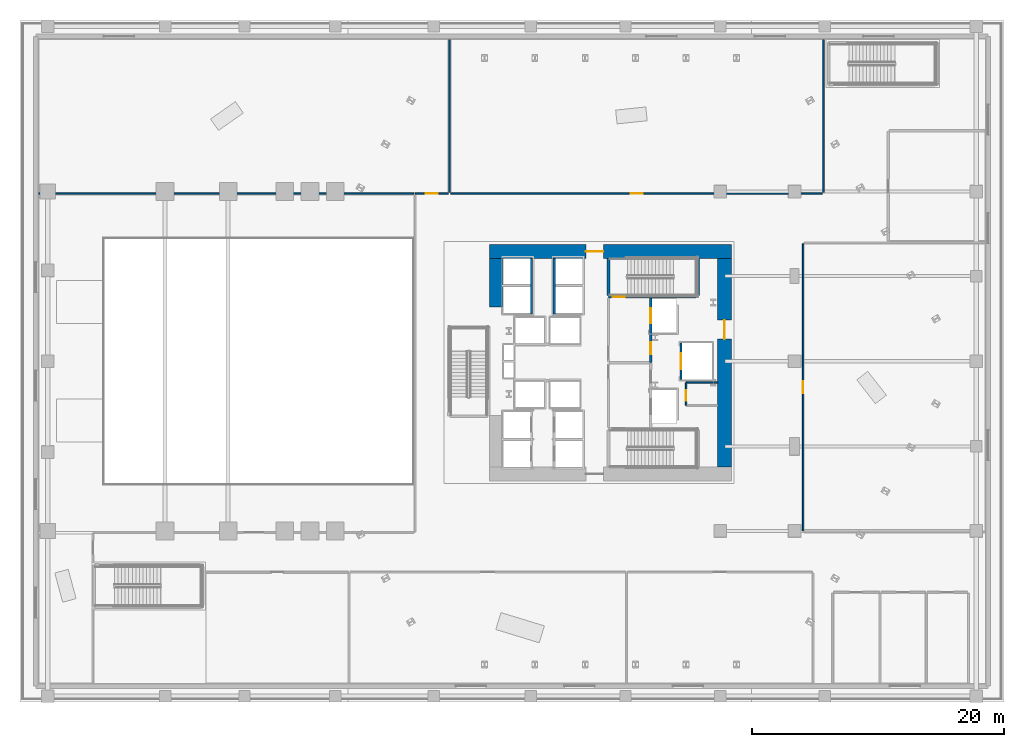
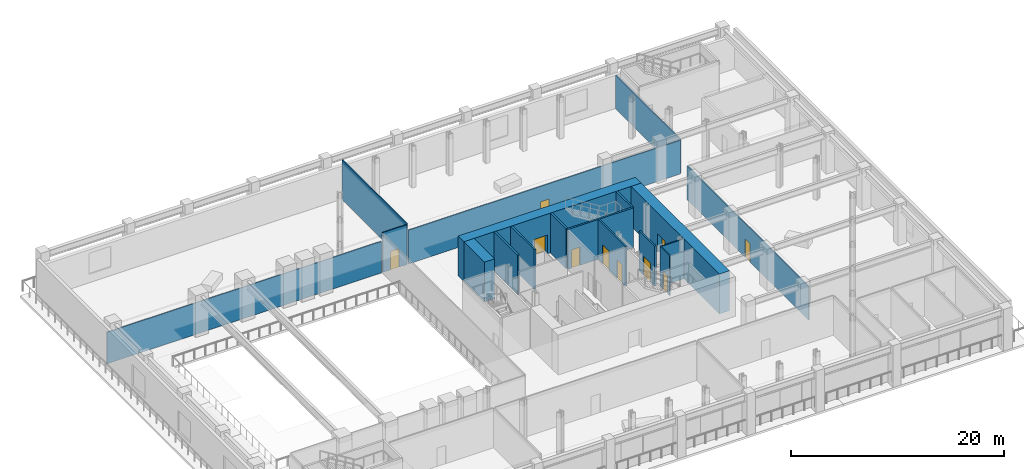
# One storey, part 5 of 19: 18 walls, 10 doors, 10 openings.
"""IFC4 building model written with IfcOpenShell, lengths in metres."""

from ifc_helpers import new_model, si_unit, direction, frame, frame_2d, origin, place, context, subcontext, project, spatial, rectangle, extrude, material, layer, layer_set, type_object, element, fill, save


model = new_model("IFC4")

# Units and contexts
model_context = context("Model", 3, precision=1e-05, world=origin(), true_north=direction((0.0, 1.0)))
body_context = subcontext(model_context, "Body", "Model", "MODEL_VIEW")
ifc_project = project(units=[si_unit("LENGTHUNIT", "METRE"), si_unit("AREAUNIT", "SQUARE_METRE"), si_unit("VOLUMEUNIT", "CUBIC_METRE"), si_unit("PLANEANGLEUNIT", "RADIAN"), si_unit("MASSUNIT", "GRAM", prefix="KILO")], contexts=[model_context])

# Site, building, storey
site_placement = place(None, origin())
site = spatial("IfcSite", under=ifc_project, at=site_placement, CompositionType="ELEMENT")
building_placement = place(site_placement, origin())
building = spatial("IfcBuilding", under=site, at=building_placement, Name="Valkerne Bourse Tower", CompositionType="ELEMENT")
storey_placement = place(building_placement, frame((0.0, 0.0, 5.39990234375)))
storey = spatial("IfcBuildingStorey", under=building, at=storey_placement, Name="L01", CompositionType="ELEMENT", Elevation=5.39990234375)

# Wall, opening, door
ifc_material_1 = material(Name="Concrete C70/85", Category="concrete")
ifc_layer_1 = layer(ifc_material_1, 1.10009765625)
ifc_layer_set_1 = layer_set([ifc_layer_1], Name="Concrete C70/85")
wall_type_1 = type_object("IfcWallType", Name="W-CORE-1100", PredefinedType="SHEAR", material=ifc_layer_set_1)
wall_1_placement = place(storey_placement, frame((37.199951171875, 35.699951171875, 0.0), z_axis=(0.0, 0.0, 1.0), x_axis=(1.0, 0.0, 0.0)))
wall_1 = element("IfcWall", 1, at=wall_1_placement, inside=storey, type_object=wall_type_1, Name="L01 Core Shear Wall NORTH", PredefinedType="SHEAR", context=body_context, shape_type="SweptSolid", body=[
    extrude(rectangle(XDim=19.199951171875, YDim=1.10009765625, at=frame_2d((9.60009765625, 0.0))), origin(), (0.0, 0.0, 1.0), 4.56005859375),
])
opening_1_placement = place(wall_1_placement, frame((7.64990234375, 0.0, 0.0)))
opening_1 = element("IfcOpeningElement", 2, at=opening_1_placement, cuts=wall_1, Name="Opening D-PL-1400", PredefinedType="OPENING", context=body_context, shape_type="SweptSolid", body=[
    extrude(rectangle(XDim=1.39990234375, YDim=2.14990234375, at=frame_2d((0.699951171875, 1.074951171875))), frame((0.0, 0.56005859375, 0.0), z_axis=(0.0, -1.0, 0.0), x_axis=(1.0, 0.0, 0.0)), (0.0, 0.0, 1.0), 1.1201171875),
])
ifc_material_2 = material(Name="Galvanised Painted Steel", Category="steel")
door_type_1 = type_object("IfcDoorType", Name="DR-PLT-1400", OperationType="DOUBLE_DOOR_SINGLE_SWING", PredefinedType="DOOR", material=ifc_material_2)
door_1_placement = place(opening_1_placement, origin())
door_1 = element("IfcDoor", 3, at=door_1_placement, inside=storey, type_object=door_type_1, Name="L01 North Passenger Lift Hall Fire Door", OperationType="DOUBLE_DOOR_SINGLE_SWING", OverallHeight=2.14990234375, OverallWidth=1.39990234375, PredefinedType="DOOR", context=body_context, shape_type="SweptSolid", body=[
    extrude(rectangle(XDim=1.39990234375, YDim=2.14990234375, at=frame_2d((0.699951171875, 1.074951171875))), frame((0.0, 0.02490234375, 0.0), z_axis=(0.0, -1.0, 0.0), x_axis=(1.0, 0.0, 0.0)), (0.0, 0.0, 1.0), 0.050048828125),
])
fill(opening_1, door_1)

wall_2_placement = place(storey_placement, frame((55.85009765625, 18.60009765625, 0.0), z_axis=(0.0, 0.0, 1.0), x_axis=(0.0, 1.0, 0.0)))
wall_2 = element("IfcWall", 4, at=wall_2_placement, inside=storey, type_object=wall_type_1, Name="L01 Core Shear Wall EAST", PredefinedType="SHEAR", context=body_context, shape_type="SweptSolid", body=[
    extrude(rectangle(XDim=16.5498046875, YDim=1.10009765625, at=frame_2d((8.27490234375, 0.0))), origin(), (0.0, 0.0, 1.0), 4.56005859375),
])
opening_2_placement = place(wall_2_placement, frame((10.14990234375, 0.0, 0.0)))
opening_2 = element("IfcOpeningElement", 5, at=opening_2_placement, cuts=wall_2, Name="Opening D-CR-1500", PredefinedType="OPENING", context=body_context, shape_type="SweptSolid", body=[
    extrude(rectangle(XDim=1.5, YDim=2.14990234375, at=frame_2d((0.75, 1.074951171875))), frame((0.0, 0.56005859375, 0.0), z_axis=(0.0, -1.0, 0.0), x_axis=(1.0, 0.0, 0.0)), (0.0, 0.0, 1.0), 1.1201171875),
])
door_type_2 = type_object("IfcDoorType", Name="DR-CORR-1500", OperationType="DOUBLE_DOOR_SINGLE_SWING", PredefinedType="DOOR", material=ifc_material_2)
door_2_placement = place(opening_2_placement, origin())
door_2 = element("IfcDoor", 6, at=door_2_placement, inside=storey, type_object=door_type_2, Name="L01 East Core Service Lobby Fire Door", OperationType="DOUBLE_DOOR_SINGLE_SWING", OverallHeight=2.14990234375, OverallWidth=1.5, PredefinedType="DOOR", context=body_context, shape_type="SweptSolid", body=[
    extrude(rectangle(XDim=1.5, YDim=2.14990234375, at=frame_2d((0.75, 1.074951171875))), frame((0.0, 0.02490234375, 0.0), z_axis=(0.0, -1.0, 0.0), x_axis=(1.0, 0.0, 0.0)), (0.0, 0.0, 1.0), 0.050048828125),
])
fill(opening_2, door_2)

# Wall
wall_3_placement = place(storey_placement, frame((37.75, 31.300048828125, 0.0), z_axis=(0.0, 0.0, 1.0), x_axis=(0.0, 1.0, 0.0)))
element("IfcWall", 7, at=wall_3_placement, inside=storey, type_object=wall_type_1, Name="L01 Core Shear Wall WEST-N", PredefinedType="SHEAR", context=body_context, shape_type="SweptSolid", body=[
    extrude(rectangle(XDim=3.849853515625, YDim=1.10009765625, at=frame_2d((1.9248046875, 0.0))), origin(), (0.0, 0.0, 1.0), 4.56005859375),
])

# Wall, opening, door
ifc_material_3 = material(Name="Gypsum Board Steel-Stud Partition", Category="steel")
ifc_layer_2 = layer(ifc_material_3, 0.117919921875)
ifc_layer_set_2 = layer_set([ifc_layer_2], Name="Gypsum Board Steel-Stud Partition")
wall_type_2 = type_object("IfcWallType", Name="W-CORR-140", PredefinedType="PARTITIONING", material=ifc_layer_set_2)
wall_4_placement = place(storey_placement, frame((52.800048828125, 23.5, 0.0), z_axis=(0.0, 0.0, 1.0), x_axis=(0.0, 1.0, 0.0)))
wall_4 = element("IfcWall", 8, at=wall_4_placement, inside=storey, type_object=wall_type_2, Name="L01 Core SE North-Bay West Wall", PredefinedType="PARTITIONING", context=body_context, shape_type="SweptSolid", body=[
    extrude(rectangle(XDim=1.800048828125, YDim=0.117919921875, at=frame_2d((0.89990234375, 0.0))), origin(), (0.0, 0.0, 1.0), 4.56005859375),
])
opening_3_placement = place(wall_4_placement, frame((0.35009765625, 0.0, 0.0)))
opening_3 = element("IfcOpeningElement", 9, at=opening_3_placement, cuts=wall_4, Name="Opening D-WC-900", PredefinedType="OPENING", context=body_context, shape_type="SweptSolid", body=[
    extrude(rectangle(XDim=0.860107421875, YDim=2.050048828125, at=frame_2d((0.43017578125, 1.02490234375))), frame((0.0, 0.06884765625, 0.0), z_axis=(0.0, -1.0, 0.0), x_axis=(1.0, 0.0, 0.0)), (0.0, 0.0, 1.0), 0.137939453125),
])
ifc_material_4 = material(Name="Architectural White Oak Timber", Category="wood")
door_type_3 = type_object("IfcDoorType", Name="DR-WC-900", OperationType="NOTDEFINED", PredefinedType="DOOR", material=ifc_material_4)
door_3_placement = place(opening_3_placement, origin())
door_3 = element("IfcDoor", 10, at=door_3_placement, inside=storey, type_object=door_type_3, Name="L01 Telecom Closet Door", OperationType="SINGLE_SWING_RIGHT", OverallHeight=2.050048828125, OverallWidth=0.860107421875, PredefinedType="DOOR", context=body_context, shape_type="SweptSolid", body=[
    extrude(rectangle(XDim=0.860107421875, YDim=2.050048828125, at=frame_2d((0.43017578125, 1.02490234375))), frame((0.0, 0.02490234375, 0.0), z_axis=(0.0, -1.0, 0.0), x_axis=(1.0, 0.0, 0.0)), (0.0, 0.0, 1.0), 0.050048828125),
])
fill(opening_3, door_3)

# Wall
wall_5_placement = place(storey_placement, frame((52.800048828125, 25.300048828125, 0.0), z_axis=(0.0, 0.0, 1.0), x_axis=(1.0, 0.0, 0.0)))
element("IfcWall", 11, at=wall_5_placement, inside=storey, type_object=wall_type_2, Name="L01 Core SE North-Bay North Wall", PredefinedType="PARTITIONING", context=body_context, shape_type="SweptSolid", body=[
    extrude(rectangle(XDim=2.52001953125, YDim=0.117919921875, at=frame_2d((1.260009765625, 0.0))), origin(), (0.0, 0.0, 1.0), 4.56005859375),
])

# Wall, opening, door
wall_6_placement = place(storey_placement, frame((62.080078125, 13.550048828125, 0.0), z_axis=(0.0, 0.0, 1.0), x_axis=(0.0, 1.0, 0.0)))
wall_6 = element("IfcWall", 12, at=wall_6_placement, inside=storey, type_object=wall_type_2, Name="L01 L01 East Quantitative Analytics Office Wall", PredefinedType="PARTITIONING", context=body_context, shape_type="SweptSolid", body=[
    extrude(rectangle(XDim=22.75, YDim=0.117919921875, at=frame_2d((11.375, 0.0))), origin(), (0.0, 0.0, 1.0), 3.856689453125),
])
opening_4_placement = place(wall_6_placement, frame((10.89990234375, 0.0, 0.0)))
opening_4 = element("IfcOpeningElement", 13, at=opening_4_placement, cuts=wall_6, Name="Opening D-OF-950", PredefinedType="OPENING", context=body_context, shape_type="SweptSolid", body=[
    extrude(rectangle(XDim=0.949951171875, YDim=2.10009765625, at=frame_2d((0.47509765625, 1.050048828125))), frame((0.0, 0.06884765625, 0.0), z_axis=(0.0, -1.0, 0.0), x_axis=(1.0, 0.0, 0.0)), (0.0, 0.0, 1.0), 0.137939453125),
])
door_type_4 = type_object("IfcDoorType", Name="DR-OFF-950", OperationType="NOTDEFINED", PredefinedType="DOOR", material=ifc_material_4)
door_4_placement = place(opening_4_placement, origin())
door_4 = element("IfcDoor", 14, at=door_4_placement, inside=storey, type_object=door_type_4, Name="L01 L01 East Analytics Office Door", OperationType="SINGLE_SWING_LEFT", OverallHeight=2.10009765625, OverallWidth=0.949951171875, PredefinedType="DOOR", context=body_context, shape_type="SweptSolid", body=[
    extrude(rectangle(XDim=0.949951171875, YDim=2.10009765625, at=frame_2d((0.47509765625, 1.050048828125))), frame((0.0, 0.02490234375, 0.0), z_axis=(0.0, -1.0, 0.0), x_axis=(1.0, 0.0, 0.0)), (0.0, 0.0, 1.0), 0.050048828125),
])
fill(opening_4, door_4)

# Walls
wall_7_placement = place(storey_placement, frame((63.679931640625, 40.3798828125, 0.0), z_axis=(0.0, 0.0, 1.0), x_axis=(0.0, 1.0, 0.0)))
element("IfcWall", 15, at=wall_7_placement, inside=storey, type_object=wall_type_2, Name="L01 L01 North Clearing & Margin Office Wall", PredefinedType="PARTITIONING", context=body_context, shape_type="SweptSolid", body=[
    extrude(rectangle(XDim=12.1201171875, YDim=0.117919921875, at=frame_2d((6.06005859375, 0.0))), origin(), (0.0, 0.0, 1.0), 3.856689453125),
])
wall_8_placement = place(storey_placement, frame((34.06005859375, 40.3798828125, 0.0), z_axis=(0.0, 0.0, 1.0), x_axis=(0.0, 1.0, 0.0)))
element("IfcWall", 16, at=wall_8_placement, inside=storey, type_object=wall_type_2, Name="L01 L01 North Clearing & Margin Office Wall", PredefinedType="PARTITIONING", context=body_context, shape_type="SweptSolid", body=[
    extrude(rectangle(XDim=12.1201171875, YDim=0.117919921875, at=frame_2d((6.06005859375, 0.0))), origin(), (0.0, 0.0, 1.0), 4.56005859375),
])

# Wall, opening, door
wall_9_placement = place(storey_placement, frame((34.14990234375, 40.300048828125, 0.0), z_axis=(0.0, 0.0, 1.0), x_axis=(1.0, 0.0, 0.0)))
wall_9 = element("IfcWall", 17, at=wall_9_placement, inside=storey, type_object=wall_type_2, Name="L01 L01 North Clearing & Margin Office Wall", PredefinedType="PARTITIONING", context=body_context, shape_type="SweptSolid", body=[
    extrude(rectangle(XDim=29.4501953125, YDim=0.117919921875, at=frame_2d((14.72509765625, 0.0))), origin(), (0.0, 0.0, 1.0), 3.856689453125),
])
opening_5_placement = place(wall_9_placement, frame((14.25, 0.0, 0.0)))
opening_5 = element("IfcOpeningElement", 18, at=opening_5_placement, cuts=wall_9, Name="Opening D-OF-950", PredefinedType="OPENING", context=body_context, shape_type="SweptSolid", body=[
    extrude(rectangle(XDim=0.949951171875, YDim=2.10009765625, at=frame_2d((0.47509765625, 1.050048828125))), frame((0.0, 0.06884765625, 0.0), z_axis=(0.0, -1.0, 0.0), x_axis=(1.0, 0.0, 0.0)), (0.0, 0.0, 1.0), 0.137939453125),
])
door_5_placement = place(opening_5_placement, origin())
door_5 = element("IfcDoor", 19, at=door_5_placement, inside=storey, type_object=door_type_4, Name="L01 L01 North Clearing Office Door", OperationType="SINGLE_SWING_LEFT", OverallHeight=2.10009765625, OverallWidth=0.949951171875, PredefinedType="DOOR", context=body_context, shape_type="SweptSolid", body=[
    extrude(rectangle(XDim=0.949951171875, YDim=2.10009765625, at=frame_2d((0.47509765625, 1.050048828125))), frame((0.0, 0.02490234375, 0.0), z_axis=(0.0, -1.0, 0.0), x_axis=(1.0, 0.0, 0.0)), (0.0, 0.0, 1.0), 0.050048828125),
])
fill(opening_5, door_5)

# Wall
wall_10_placement = place(storey_placement, frame((1.5, 40.300048828125, 0.0), z_axis=(0.0, 0.0, 1.0), x_axis=(1.0, 0.0, 0.0)))
element("IfcWall", 20, at=wall_10_placement, inside=storey, type_object=wall_type_2, Name="L01 L01 North-West Derivatives Studio Office Wall", PredefinedType="PARTITIONING", context=body_context, shape_type="SweptSolid", body=[
    extrude(rectangle(XDim=29.699951171875, YDim=0.117919921875, at=frame_2d((14.85009765625, 0.0))), origin(), (0.0, 0.0, 1.0), 3.60009765625),
])

# Wall, opening, door
wall_11_placement = place(storey_placement, frame((31.35009765625, 40.300048828125, 0.0), z_axis=(0.0, 0.0, 1.0), x_axis=(1.0, 0.0, 0.0)))
wall_11 = element("IfcWall", 21, at=wall_11_placement, inside=storey, type_object=wall_type_2, Name="L01 L01 North-West Derivatives Studio Office Wall", PredefinedType="PARTITIONING", context=body_context, shape_type="SweptSolid", body=[
    extrude(rectangle(XDim=2.599853515625, YDim=0.117919921875, at=frame_2d((1.2998046875, 0.0))), origin(), (0.0, 0.0, 1.0), 4.56005859375),
])
opening_6_placement = place(wall_11_placement, frame((0.824951171875, 0.0, 0.0)))
opening_6 = element("IfcOpeningElement", 22, at=opening_6_placement, cuts=wall_11, Name="Opening D-OF-950", PredefinedType="OPENING", context=body_context, shape_type="SweptSolid", body=[
    extrude(rectangle(XDim=0.949951171875, YDim=2.10009765625, at=frame_2d((0.47509765625, 1.050048828125))), frame((0.0, 0.06884765625, 0.0), z_axis=(0.0, -1.0, 0.0), x_axis=(1.0, 0.0, 0.0)), (0.0, 0.0, 1.0), 0.137939453125),
])
door_6_placement = place(opening_6_placement, origin())
door_6 = element("IfcDoor", 23, at=door_6_placement, inside=storey, type_object=door_type_4, Name="L01 L01 NW Studio Office Door", OperationType="SINGLE_SWING_LEFT", OverallHeight=2.10009765625, OverallWidth=0.949951171875, PredefinedType="DOOR", context=body_context, shape_type="SweptSolid", body=[
    extrude(rectangle(XDim=0.949951171875, YDim=2.10009765625, at=frame_2d((0.47509765625, 1.050048828125))), frame((0.0, 0.02490234375, 0.0), z_axis=(0.0, -1.0, 0.0), x_axis=(1.0, 0.0, 0.0)), (0.0, 0.0, 1.0), 0.050048828125),
])
fill(opening_6, door_6)

# Wall, openings, doors
ifc_material_5 = material(Name="Gypsum Fire-Rated Shaftwall", Category="gypsum")
ifc_layer_3 = layer(ifc_material_5, 0.179931640625)
ifc_layer_set_3 = layer_set([ifc_layer_3], Name="Gypsum Fire-Rated Shaftwall")
wall_type_3 = type_object("IfcWallType", Name="W-FSAE-180", PredefinedType="PARTITIONING", material=ifc_layer_set_3)
wall_12_placement = place(storey_placement, frame((50.0, 26.919921875, 0.0), z_axis=(0.0, 0.0, 1.0), x_axis=(0.0, 1.0, 0.0)))
wall_12 = element("IfcWall", 24, at=wall_12_placement, inside=storey, type_object=wall_type_3, Name="L01 FSAE-2 Lobby & Shaft Front Wall", PredefinedType="PARTITIONING", context=body_context, shape_type="SweptSolid", body=[
    extrude(rectangle(XDim=5.080078125, YDim=0.179931640625, at=frame_2d((2.5400390625, 0.0))), origin(), (0.0, 0.0, 1.0), 4.56005859375),
])
opening_7_placement = place(wall_12_placement, frame((3.080078125, 0.0, 0.0)))
opening_7 = element("IfcOpeningElement", 25, at=opening_7_placement, cuts=wall_12, Name="Opening LD-1200", PredefinedType="OPENING", context=body_context, shape_type="SweptSolid", body=[
    extrude(rectangle(XDim=1.199951171875, YDim=2.14990234375, at=frame_2d((0.60009765625, 1.074951171875))), frame((0.0, 0.099853515625, 0.0), z_axis=(0.0, -1.0, 0.0), x_axis=(1.0, 0.0, 0.0)), (0.0, 0.0, 1.0), 0.199951171875),
])
opening_8_placement = place(wall_12_placement, frame((0.6298828125, 0.0, 0.0)))
opening_8 = element("IfcOpeningElement", 26, at=opening_8_placement, cuts=wall_12, Name="Opening D-FS-950", PredefinedType="OPENING", context=body_context, shape_type="SweptSolid", body=[
    extrude(rectangle(XDim=0.949951171875, YDim=2.10009765625, at=frame_2d((0.47509765625, 1.050048828125))), frame((0.0, 0.099853515625, 0.0), z_axis=(0.0, -1.0, 0.0), x_axis=(1.0, 0.0, 0.0)), (0.0, 0.0, 1.0), 0.199951171875),
])
door_type_5 = type_object("IfcDoorType", Name="DR-FSAE-950", OperationType="NOTDEFINED", PredefinedType="DOOR", material=ifc_material_2)
door_7_placement = place(opening_8_placement, origin())
door_7 = element("IfcDoor", 27, at=door_7_placement, inside=storey, type_object=door_type_5, Name="L01 FSAE-2 Lobby Corridor Fire Door", OperationType="SINGLE_SWING_LEFT", OverallHeight=2.10009765625, OverallWidth=0.949951171875, PredefinedType="DOOR", context=body_context, shape_type="SweptSolid", body=[
    extrude(rectangle(XDim=0.949951171875, YDim=2.10009765625, at=frame_2d((0.47509765625, 1.050048828125))), frame((0.0, 0.02490234375, 0.0), z_axis=(0.0, -1.0, 0.0), x_axis=(1.0, 0.0, 0.0)), (0.0, 0.0, 1.0), 0.050048828125),
])
fill(opening_8, door_7)
ifc_material_6 = material(Name="Stainless Steel AISI 316", Category="steel")
door_type_6 = type_object("IfcDoorType", Name="DR-LIFT-1200", OperationType="DOUBLE_DOOR_SLIDING", PredefinedType="DOOR", material=ifc_material_6)
door_8_placement = place(opening_7_placement, origin())
door_8 = element("IfcDoor", 28, at=door_8_placement, inside=storey, type_object=door_type_6, Name="L01 FSAE-2 Firefighting Lift Landing Door", OperationType="DOUBLE_DOOR_SLIDING", OverallHeight=2.14990234375, OverallWidth=1.199951171875, PredefinedType="DOOR", context=body_context, shape_type="SweptSolid", body=[
    extrude(rectangle(XDim=1.199951171875, YDim=2.14990234375, at=frame_2d((0.60009765625, 1.074951171875))), frame((0.0, 0.02490234375, 0.0), z_axis=(0.0, -1.0, 0.0), x_axis=(1.0, 0.0, 0.0)), (0.0, 0.0, 1.0), 0.050048828125),
])
fill(opening_7, door_8)

# Wall, opening, door
ifc_material_7 = material(Name="CMU Blockwork Masonry 200mm", Category="masonry")
ifc_layer_4 = layer(ifc_material_7, 0.179931640625)
ifc_layer_set_4 = layer_set([ifc_layer_4], Name="CMU Blockwork Masonry 200mm")
wall_type_4 = type_object("IfcWallType", Name="W-LFT-180", PredefinedType="SOLIDWALL", material=ifc_layer_set_4)
wall_13_placement = place(storey_placement, frame((52.39990234375, 25.550048828125, 0.0), z_axis=(0.0, 0.0, 1.0), x_axis=(0.0, 1.0, 0.0)))
wall_13 = element("IfcWall", 29, at=wall_13_placement, inside=storey, type_object=wall_type_4, Name="L01 Service Lift SV-1 Front Wall", PredefinedType="SOLIDWALL", context=body_context, shape_type="SweptSolid", body=[
    extrude(rectangle(XDim=2.89990234375, YDim=0.179931640625, at=frame_2d((1.449951171875, 0.0))), origin(), (0.0, 0.0, 1.0), 4.56005859375),
])
opening_9_placement = place(wall_13_placement, frame((0.800048828125, 0.0, 0.0)))
opening_9 = element("IfcOpeningElement", 30, at=opening_9_placement, cuts=wall_13, Name="Opening LD-1300", PredefinedType="OPENING", context=body_context, shape_type="SweptSolid", body=[
    extrude(rectangle(XDim=1.300048828125, YDim=2.14990234375, at=frame_2d((0.64990234375, 1.074951171875))), frame((0.0, 0.099853515625, 0.0), z_axis=(0.0, -1.0, 0.0), x_axis=(1.0, 0.0, 0.0)), (0.0, 0.0, 1.0), 0.199951171875),
])
door_type_7 = type_object("IfcDoorType", Name="DR-LIFT-1300", OperationType="DOUBLE_DOOR_SLIDING", PredefinedType="DOOR", material=ifc_material_6)
door_9_placement = place(opening_9_placement, origin())
door_9 = element("IfcDoor", 31, at=door_9_placement, inside=storey, type_object=door_type_7, Name="L01 Service Lift SV-1 Landing Door", OperationType="DOUBLE_DOOR_SLIDING", OverallHeight=2.14990234375, OverallWidth=1.300048828125, PredefinedType="DOOR", context=body_context, shape_type="SweptSolid", body=[
    extrude(rectangle(XDim=1.300048828125, YDim=2.14990234375, at=frame_2d((0.64990234375, 1.074951171875))), frame((0.0, 0.02490234375, 0.0), z_axis=(0.0, -1.0, 0.0), x_axis=(1.0, 0.0, 0.0)), (0.0, 0.0, 1.0), 0.050048828125),
])
fill(opening_9, door_9)

# Walls
for number, where, z_axis, x_axis, name in (
    (32, (40.550048828125, 30.75, 0.0), (0.0, 0.0, 1.0), (0.0, 1.0, 0.0), "L01 Mid-Zone West Cars Front Wall"),
    (33, (42.35009765625, 30.75, 0.0), (0.0, 0.0, 1.0), (0.0, 1.0, 0.0), "L01 Mid-Zone East Cars Front Wall"),
):
    element("IfcWall", number, at=place(storey_placement, frame(where, z_axis=z_axis, x_axis=x_axis)), inside=storey, type_object=wall_type_4, Name=name, PredefinedType="SOLIDWALL", context=body_context, shape_type="SweptSolid", body=[
        extrude(rectangle(XDim=4.39990234375, YDim=0.179931640625, at=frame_2d((2.199951171875, 0.0))), origin(), (0.0, 0.0, 1.0), 4.56005859375),
    ])

# Wall, opening, door
ifc_material_8 = material(Name="Concrete C40/50", Category="concrete")
ifc_layer_5 = layer(ifc_material_8, 0.199951171875)
ifc_layer_set_5 = layer_set([ifc_layer_5], Name="Concrete C40/50")
wall_type_5 = type_object("IfcWallType", Name="W-SHF-200", PredefinedType="SHEAR", material=ifc_layer_set_5)
wall_14_placement = place(storey_placement, frame((46.64990234375, 32.10009765625, 0.0), z_axis=(0.0, 0.0, 1.0), x_axis=(1.0, 0.0, 0.0)))
wall_14 = element("IfcWall", 34, at=wall_14_placement, inside=storey, type_object=wall_type_5, Name="L01 Exit Stair ST-2 Structural Shaft Wall South", PredefinedType="SHEAR", context=body_context, shape_type="SweptSolid", body=[
    extrude(rectangle(XDim=7.10009765625, YDim=0.199951171875, at=frame_2d((3.550048828125, 0.0))), origin(), (0.0, 0.0, 1.0), 4.56005859375),
])
opening_10_placement = place(wall_14_placement, frame((0.35009765625, 0.0, 0.0)))
opening_10 = element("IfcOpeningElement", 35, at=opening_10_placement, cuts=wall_14, Name="Opening D-ST-950", PredefinedType="OPENING", context=body_context, shape_type="SweptSolid", body=[
    extrude(rectangle(XDim=0.949951171875, YDim=2.10009765625, at=frame_2d((0.47509765625, 1.050048828125))), frame((0.0, 0.10986328125, 0.0), z_axis=(0.0, -1.0, 0.0), x_axis=(1.0, 0.0, 0.0)), (0.0, 0.0, 1.0), 0.219970703125),
])
door_type_8 = type_object("IfcDoorType", Name="DR-STAIR-950", OperationType="NOTDEFINED", PredefinedType="DOOR", material=ifc_material_2)
door_10_placement = place(opening_10_placement, origin())
door_10 = element("IfcDoor", 36, at=door_10_placement, inside=storey, type_object=door_type_8, Name="L01 Exit Stair ST-2 Door", OperationType="SINGLE_SWING_RIGHT", OverallHeight=2.10009765625, OverallWidth=0.949951171875, PredefinedType="DOOR", context=body_context, shape_type="SweptSolid", body=[
    extrude(rectangle(XDim=0.949951171875, YDim=2.10009765625, at=frame_2d((0.47509765625, 1.050048828125))), frame((0.0, 0.02490234375, 0.0), z_axis=(0.0, -1.0, 0.0), x_axis=(1.0, 0.0, 0.0)), (0.0, 0.0, 1.0), 0.050048828125),
])
fill(opening_10, door_10)

# Walls
for number, where, z_axis, x_axis, name in (
    (37, (46.64990234375, 32.199951171875, 0.0), (0.0, 0.0, 1.0), (0.0, 1.0, 0.0), "L01 Exit Stair ST-2 Structural Shaft Wall West"),
    (38, (53.75, 32.199951171875, 0.0), (0.0, 0.0, 1.0), (0.0, 1.0, 0.0), "L01 Exit Stair ST-2 Structural Shaft Wall East"),
):
    element("IfcWall", number, at=place(storey_placement, frame(where, z_axis=z_axis, x_axis=x_axis)), inside=storey, type_object=wall_type_5, Name=name, PredefinedType="SHEAR", context=body_context, shape_type="SweptSolid", body=[
        extrude(rectangle(XDim=2.949951171875, YDim=0.199951171875, at=frame_2d((1.47509765625, 0.0))), origin(), (0.0, 0.0, 1.0), 4.56005859375),
    ])

save(model, "model.ifc")
